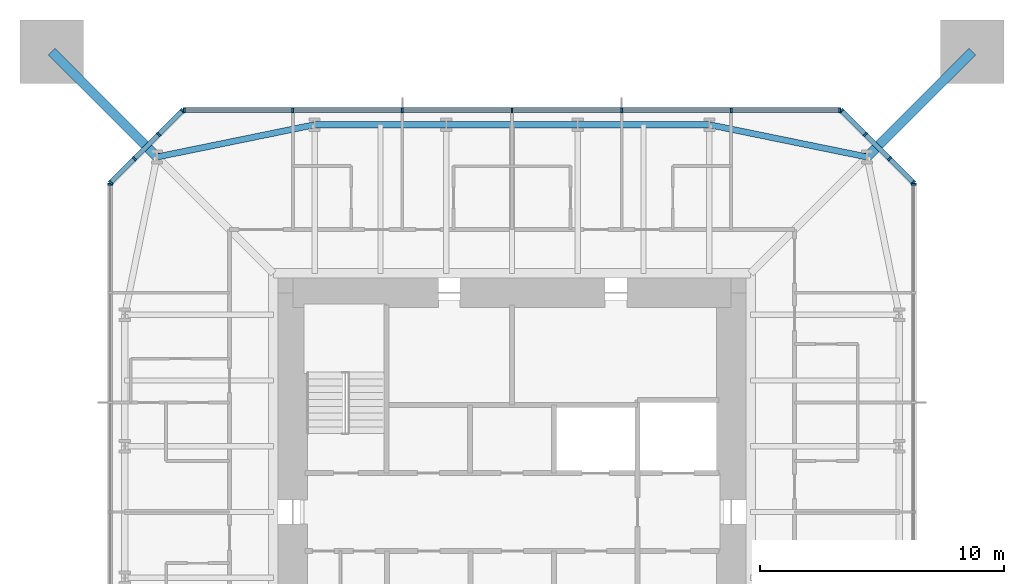
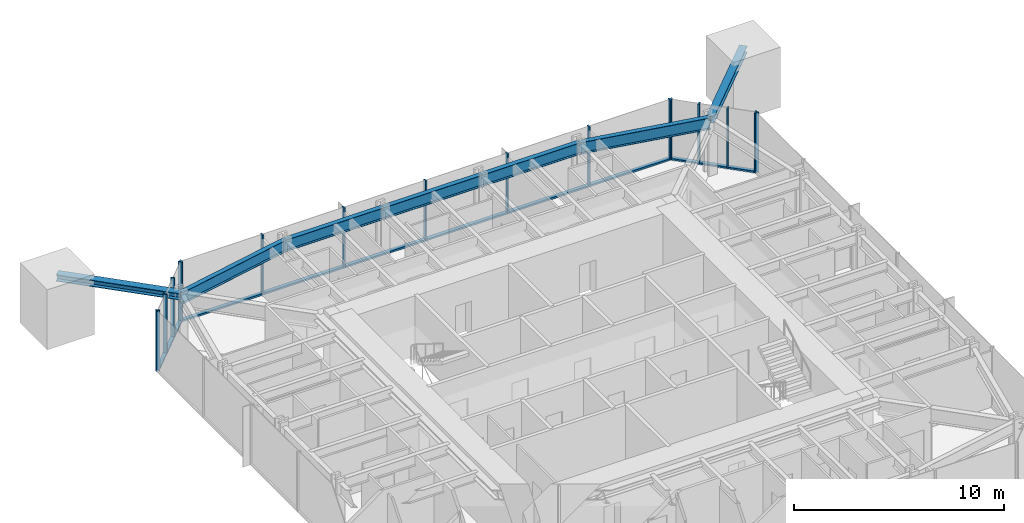
# One storey, part 4 of 10: 31 members, 5 beams, 5 elements without a shape of their own.
"""IFC4 building model written with IfcOpenShell, lengths in metres."""

from ifc_helpers import new_model, si_unit, direction, frame, origin, origin_2d, place, context, subcontext, project, spatial, rectangle, i_section, extrude, material, material_profile, profile_set, type_object, element, aggregate, save


model = new_model("IFC4")

# Units and contexts
model_context = context("Model", 3, precision=1e-05, world=origin(), true_north=direction((0.0, 1.0)))
body_context = subcontext(model_context, "Body", "Model", "MODEL_VIEW")
ifc_project = project(units=[si_unit("LENGTHUNIT", "METRE"), si_unit("AREAUNIT", "SQUARE_METRE"), si_unit("VOLUMEUNIT", "CUBIC_METRE"), si_unit("PLANEANGLEUNIT", "RADIAN"), si_unit("MASSUNIT", "GRAM", prefix="KILO")], contexts=[model_context])

# Site, building, storey
site_placement = place(None, origin())
site = spatial("IfcSite", under=ifc_project, at=site_placement, CompositionType="ELEMENT")
building_placement = place(site_placement, origin())
building = spatial("IfcBuilding", under=site, at=building_placement, Name="Iwan Alto Co-Living Towers", CompositionType="ELEMENT")
storey_placement = place(building_placement, frame((0.0, 0.0, 218.5)))
storey = spatial("IfcBuildingStorey", under=building, at=storey_placement, Name="L59", CompositionType="ELEMENT", Elevation=218.5)

# Curtain wall, member
ifc_material_1 = material(Name="Bronze aluminium unitised frame", Category="aluminium")
curtain_wall_type_1 = type_object("IfcCurtainWallType", Name="CURTAIN WALL CW-A", PredefinedType="NOTDEFINED", material=ifc_material_1)
curtain_wall_1_placement = place(storey_placement, origin())
curtain_wall_1 = element("IfcCurtainWall", 1, at=curtain_wall_1_placement, inside=storey, type_object=curtain_wall_type_1, Name="T1 curtain wall E L59", PredefinedType="NOTDEFINED")
ifc_material_2 = material(Name="Aluminium 6063-T6 bronze anodised", Category="aluminium")
ifc_material_profile_1 = material_profile(ifc_material_2, rectangle(XDim=0.199951171875, YDim=0.080078125, at=origin_2d()), Name="AL 80X200")
ifc_profile_set_1 = profile_set([ifc_material_profile_1], Name="Aluminium 6063-T6 bronze anodised")
member_type_1 = type_object("IfcMemberType", Name="CW-A MULLION 80X200", PredefinedType="MULLION", material=ifc_profile_set_1)
member_1_placement = place(storey_placement, frame((16.5, 13.4599609375, 0.0), z_axis=(0.0, 0.0, 1.0), x_axis=(-1.0, 0.0, 0.0)))
member_1 = element("IfcMember", 2, at=member_1_placement, type_object=member_type_1, Name="CW-A mullion 7", PredefinedType="MULLION", context=body_context, shape_type="SweptSolid", body=[
    extrude(rectangle(XDim=0.199951171875, YDim=0.080078125, at=origin_2d()), origin(), (0.0, 0.0, 1.0), 3.5),
])
aggregate(curtain_wall_1, [member_1])

# Curtain wall, members
curtain_wall_2_placement = place(storey_placement, origin())
curtain_wall_2 = element("IfcCurtainWall", 3, at=curtain_wall_2_placement, inside=storey, type_object=curtain_wall_type_1, Name="T1 curtain wall N L59", PredefinedType="NOTDEFINED")
member_2_placement = place(storey_placement, frame((13.4599609375, 16.5, 0.0), z_axis=(0.0, 0.0, 1.0), x_axis=(0.0, -1.0, 0.0)))
member_2 = element("IfcMember", 4, at=member_2_placement, type_object=member_type_1, Name="CW-A mullion 1", PredefinedType="MULLION", context=body_context, shape_type="SweptSolid", body=[
    extrude(rectangle(XDim=0.199951171875, YDim=0.080078125, at=origin_2d()), origin(), (0.0, 0.0, 1.0), 3.5),
])
member_3_placement = place(storey_placement, frame((9.0, 16.5, 0.0), z_axis=(0.0, 0.0, 1.0), x_axis=(0.0, -1.0, 0.0)))
member_3 = element("IfcMember", 5, at=member_3_placement, type_object=member_type_1, Name="CW-A mullion 2", PredefinedType="MULLION", context=body_context, shape_type="SweptSolid", body=[
    extrude(rectangle(XDim=0.199951171875, YDim=0.080078125, at=origin_2d()), origin(), (0.0, 0.0, 1.0), 3.5),
])
member_4_placement = place(storey_placement, frame((4.5, 16.5, 0.0), z_axis=(0.0, 0.0, 1.0), x_axis=(0.0, -1.0, 0.0)))
member_4 = element("IfcMember", 6, at=member_4_placement, type_object=member_type_1, Name="CW-A mullion 3", PredefinedType="MULLION", context=body_context, shape_type="SweptSolid", body=[
    extrude(rectangle(XDim=0.199951171875, YDim=0.080078125, at=origin_2d()), origin(), (0.0, 0.0, 1.0), 3.5),
])
member_5_placement = place(storey_placement, frame((0.0, 16.5, 0.0), z_axis=(0.0, 0.0, 1.0), x_axis=(0.0, -1.0, 0.0)))
member_5 = element("IfcMember", 7, at=member_5_placement, type_object=member_type_1, Name="CW-A mullion 4", PredefinedType="MULLION", context=body_context, shape_type="SweptSolid", body=[
    extrude(rectangle(XDim=0.199951171875, YDim=0.080078125, at=origin_2d()), origin(), (0.0, 0.0, 1.0), 3.5),
])
member_6_placement = place(storey_placement, frame((-4.5, 16.5, 0.0), z_axis=(0.0, 0.0, 1.0), x_axis=(0.0, -1.0, 0.0)))
member_6 = element("IfcMember", 8, at=member_6_placement, type_object=member_type_1, Name="CW-A mullion 5", PredefinedType="MULLION", context=body_context, shape_type="SweptSolid", body=[
    extrude(rectangle(XDim=0.199951171875, YDim=0.080078125, at=origin_2d()), origin(), (0.0, 0.0, 1.0), 3.5),
])
member_7_placement = place(storey_placement, frame((-9.0, 16.5, 0.0), z_axis=(0.0, 0.0, 1.0), x_axis=(0.0, -1.0, 0.0)))
member_7 = element("IfcMember", 9, at=member_7_placement, type_object=member_type_1, Name="CW-A mullion 6", PredefinedType="MULLION", context=body_context, shape_type="SweptSolid", body=[
    extrude(rectangle(XDim=0.199951171875, YDim=0.080078125, at=origin_2d()), origin(), (0.0, 0.0, 1.0), 3.5),
])
member_8_placement = place(storey_placement, frame((-13.4599609375, 16.5, 0.0), z_axis=(0.0, 0.0, 1.0), x_axis=(0.0, -1.0, 0.0)))
member_8 = element("IfcMember", 10, at=member_8_placement, type_object=member_type_1, Name="CW-A mullion 7", PredefinedType="MULLION", context=body_context, shape_type="SweptSolid", body=[
    extrude(rectangle(XDim=0.199951171875, YDim=0.080078125, at=origin_2d()), origin(), (0.0, 0.0, 1.0), 3.5),
])

# Curtain wall, member
curtain_wall_3_placement = place(storey_placement, origin())
curtain_wall_3 = element("IfcCurtainWall", 11, at=curtain_wall_3_placement, inside=storey, type_object=curtain_wall_type_1, Name="T1 curtain wall W L59", PredefinedType="NOTDEFINED")
member_9_placement = place(storey_placement, frame((-16.5, 13.4599609375, 0.0), z_axis=(0.0, 0.0, 1.0), x_axis=(1.0, 0.0, 0.0)))
member_9 = element("IfcMember", 12, at=member_9_placement, type_object=member_type_1, Name="CW-A mullion 1", PredefinedType="MULLION", context=body_context, shape_type="SweptSolid", body=[
    extrude(rectangle(XDim=0.199951171875, YDim=0.080078125, at=origin_2d()), origin(), (0.0, 0.0, 1.0), 3.5),
])
aggregate(curtain_wall_3, [member_9])

# Member
ifc_material_3 = material(Name="Aluminium 6063-T6 bronze anodised", Category="aluminium")
ifc_material_profile_2 = material_profile(ifc_material_3, rectangle(XDim=0.199951171875, YDim=0.10009765625, at=origin_2d()), Name="AL 200X100")
ifc_profile_set_2 = profile_set([ifc_material_profile_2], Name="Aluminium 6063-T6 bronze anodised")
member_type_2 = type_object("IfcMemberType", Name="CW-A TRANSOM 200X100", PredefinedType="USERDEFINED", material=ifc_profile_set_2)
member_10_placement = place(storey_placement, frame((13.419921875, 16.5, 0.050048828125), z_axis=(-1.0, 0.0, 0.0), x_axis=(0.0, -1.0, 0.0)))
member_10 = element("IfcMember", 13, at=member_10_placement, type_object=member_type_2, Name="CW-A transom 1.1", ObjectType="TRANSOM", PredefinedType="USERDEFINED", context=body_context, shape_type="SweptSolid", body=[
    extrude(rectangle(XDim=0.199951171875, YDim=0.10009765625, at=origin_2d()), origin(), (0.0, 0.0, 1.0), 4.3798828125),
])

member_11_placement = place(storey_placement, frame((8.9599609375, 16.5, 0.050048828125), z_axis=(-1.0, 0.0, 0.0), x_axis=(0.0, -1.0, 0.0)))
member_11 = element("IfcMember", 14, at=member_11_placement, type_object=member_type_2, Name="CW-A transom 2.1", ObjectType="TRANSOM", PredefinedType="USERDEFINED", context=body_context, shape_type="SweptSolid", body=[
    extrude(rectangle(XDim=0.199951171875, YDim=0.10009765625, at=origin_2d()), origin(), (0.0, 0.0, 1.0), 4.419921875),
])

member_12_placement = place(storey_placement, frame((4.4599609375, 16.5, 0.050048828125), z_axis=(-1.0, 0.0, 0.0), x_axis=(0.0, -1.0, 0.0)))
member_12 = element("IfcMember", 15, at=member_12_placement, type_object=member_type_2, Name="CW-A transom 3.1", ObjectType="TRANSOM", PredefinedType="USERDEFINED", context=body_context, shape_type="SweptSolid", body=[
    extrude(rectangle(XDim=0.199951171875, YDim=0.10009765625, at=origin_2d()), origin(), (0.0, 0.0, 1.0), 4.419921875),
])

member_13_placement = place(storey_placement, frame((-0.0400390625, 16.5, 0.050048828125), z_axis=(-1.0, 0.0, 0.0), x_axis=(0.0, -1.0, 0.0)))
member_13 = element("IfcMember", 16, at=member_13_placement, type_object=member_type_2, Name="CW-A transom 4.1", ObjectType="TRANSOM", PredefinedType="USERDEFINED", context=body_context, shape_type="SweptSolid", body=[
    extrude(rectangle(XDim=0.199951171875, YDim=0.10009765625, at=origin_2d()), origin(), (0.0, 0.0, 1.0), 4.419921875),
])

member_14_placement = place(storey_placement, frame((-4.5400390625, 16.5, 0.050048828125), z_axis=(-1.0, 0.0, 0.0), x_axis=(0.0, -1.0, 0.0)))
member_14 = element("IfcMember", 17, at=member_14_placement, type_object=member_type_2, Name="CW-A transom 5.1", ObjectType="TRANSOM", PredefinedType="USERDEFINED", context=body_context, shape_type="SweptSolid", body=[
    extrude(rectangle(XDim=0.199951171875, YDim=0.10009765625, at=origin_2d()), origin(), (0.0, 0.0, 1.0), 4.419921875),
])

member_15_placement = place(storey_placement, frame((-9.0400390625, 16.5, 0.050048828125), z_axis=(-1.0, 0.0, 0.0), x_axis=(0.0, -1.0, 0.0)))
member_15 = element("IfcMember", 18, at=member_15_placement, type_object=member_type_2, Name="CW-A transom 6.1", ObjectType="TRANSOM", PredefinedType="USERDEFINED", context=body_context, shape_type="SweptSolid", body=[
    extrude(rectangle(XDim=0.199951171875, YDim=0.10009765625, at=origin_2d()), origin(), (0.0, 0.0, 1.0), 4.3798828125),
])

aggregate(curtain_wall_2, [member_2, member_3, member_4, member_5, member_6, member_7, member_8, member_10, member_11, member_12, member_13, member_14, member_15])

# Curtain wall, members
ifc_material_4 = material(Name="Bronze aluminium unitised frame", Category="aluminium")
curtain_wall_type_2 = type_object("IfcCurtainWallType", Name="CURTAIN WALL CW-B", PredefinedType="NOTDEFINED", material=ifc_material_4)
curtain_wall_4_placement = place(storey_placement, origin())
curtain_wall_4 = element("IfcCurtainWall", 19, at=curtain_wall_4_placement, inside=storey, type_object=curtain_wall_type_2, Name="T1 chamfer curtain wall NE L59", PredefinedType="NOTDEFINED")
ifc_material_5 = material(Name="Aluminium 6063-T6 bronze anodised", Category="aluminium")
ifc_material_profile_3 = material_profile(ifc_material_5, rectangle(XDim=0.199951171875, YDim=0.080078125, at=origin_2d()), Name="AL 80X200")
ifc_profile_set_3 = profile_set([ifc_material_profile_3], Name="Aluminium 6063-T6 bronze anodised")
member_type_3 = type_object("IfcMemberType", Name="CW-B MULLION 80X200", PredefinedType="MULLION", material=ifc_profile_set_3)
member_16_placement = place(storey_placement, frame((16.4716796875, 13.5283203125, 0.0), z_axis=(0.0, 0.0, 1.0), x_axis=(-0.707106781187, -0.707106781187, 0.0)))
member_16 = element("IfcMember", 20, at=member_16_placement, type_object=member_type_3, Name="CW-B mullion 1", PredefinedType="MULLION", context=body_context, shape_type="SweptSolid", body=[
    extrude(rectangle(XDim=0.199951171875, YDim=0.080078125, at=origin_2d()), origin(), (0.0, 0.0, 1.0), 3.5),
])
member_17_placement = place(storey_placement, frame((15.5, 14.5, 0.0), z_axis=(0.0, 0.0, 1.0), x_axis=(-0.707106781187, -0.707106781187, 0.0)))
member_17 = element("IfcMember", 21, at=member_17_placement, type_object=member_type_3, Name="CW-B mullion 2", PredefinedType="MULLION", context=body_context, shape_type="SweptSolid", body=[
    extrude(rectangle(XDim=0.199951171875, YDim=0.080078125, at=origin_2d()), origin(), (0.0, 0.0, 1.0), 3.5),
])
member_18_placement = place(storey_placement, frame((14.5, 15.5, 0.0), z_axis=(0.0, 0.0, 1.0), x_axis=(-0.707106781187, -0.707106781187, 0.0)))
member_18 = element("IfcMember", 22, at=member_18_placement, type_object=member_type_3, Name="CW-B mullion 3", PredefinedType="MULLION", context=body_context, shape_type="SweptSolid", body=[
    extrude(rectangle(XDim=0.199951171875, YDim=0.080078125, at=origin_2d()), origin(), (0.0, 0.0, 1.0), 3.5),
])
member_19_placement = place(storey_placement, frame((13.5283203125, 16.4716796875, 0.0), z_axis=(0.0, 0.0, 1.0), x_axis=(-0.707106781187, -0.707106781187, 0.0)))
member_19 = element("IfcMember", 23, at=member_19_placement, type_object=member_type_3, Name="CW-B mullion 4", PredefinedType="MULLION", context=body_context, shape_type="SweptSolid", body=[
    extrude(rectangle(XDim=0.199951171875, YDim=0.080078125, at=origin_2d()), origin(), (0.0, 0.0, 1.0), 3.5),
])

curtain_wall_5_placement = place(storey_placement, origin())
curtain_wall_5 = element("IfcCurtainWall", 24, at=curtain_wall_5_placement, inside=storey, type_object=curtain_wall_type_2, Name="T1 chamfer curtain wall NW L59", PredefinedType="NOTDEFINED")
member_20_placement = place(storey_placement, frame((-13.5283203125, 16.4716796875, 0.0), z_axis=(0.0, 0.0, 1.0), x_axis=(0.707106781187, -0.707106781187, 0.0)))
member_20 = element("IfcMember", 25, at=member_20_placement, type_object=member_type_3, Name="CW-B mullion 1", PredefinedType="MULLION", context=body_context, shape_type="SweptSolid", body=[
    extrude(rectangle(XDim=0.199951171875, YDim=0.080078125, at=origin_2d()), origin(), (0.0, 0.0, 1.0), 3.5),
])
member_21_placement = place(storey_placement, frame((-14.5, 15.5, 0.0), z_axis=(0.0, 0.0, 1.0), x_axis=(0.707106781187, -0.707106781187, 0.0)))
member_21 = element("IfcMember", 26, at=member_21_placement, type_object=member_type_3, Name="CW-B mullion 2", PredefinedType="MULLION", context=body_context, shape_type="SweptSolid", body=[
    extrude(rectangle(XDim=0.199951171875, YDim=0.080078125, at=origin_2d()), origin(), (0.0, 0.0, 1.0), 3.5),
])
member_22_placement = place(storey_placement, frame((-15.5, 14.5, 0.0), z_axis=(0.0, 0.0, 1.0), x_axis=(0.707106781187, -0.707106781187, 0.0)))
member_22 = element("IfcMember", 27, at=member_22_placement, type_object=member_type_3, Name="CW-B mullion 3", PredefinedType="MULLION", context=body_context, shape_type="SweptSolid", body=[
    extrude(rectangle(XDim=0.199951171875, YDim=0.080078125, at=origin_2d()), origin(), (0.0, 0.0, 1.0), 3.5),
])
member_23_placement = place(storey_placement, frame((-16.4716796875, 13.5283203125, 0.0), z_axis=(0.0, 0.0, 1.0), x_axis=(0.707106781187, -0.707106781187, 0.0)))
member_23 = element("IfcMember", 28, at=member_23_placement, type_object=member_type_3, Name="CW-B mullion 4", PredefinedType="MULLION", context=body_context, shape_type="SweptSolid", body=[
    extrude(rectangle(XDim=0.199951171875, YDim=0.080078125, at=origin_2d()), origin(), (0.0, 0.0, 1.0), 3.5),
])

# Member
ifc_material_6 = material(Name="Aluminium 6063-T6 bronze anodised", Category="aluminium")
ifc_material_profile_4 = material_profile(ifc_material_6, rectangle(XDim=0.199951171875, YDim=0.10009765625, at=origin_2d()), Name="AL 200X100")
ifc_profile_set_4 = profile_set([ifc_material_profile_4], Name="Aluminium 6063-T6 bronze anodised")
member_type_4 = type_object("IfcMemberType", Name="CW-B TRANSOM 200X100", PredefinedType="USERDEFINED", material=ifc_profile_set_4)
member_24_placement = place(storey_placement, frame((16.443359375, 13.556640625, 0.050048828125), z_axis=(-0.707106781187, 0.707106781187, 0.0), x_axis=(-0.707106781187, -0.707106781187, 0.0)))
member_24 = element("IfcMember", 29, at=member_24_placement, type_object=member_type_4, Name="CW-B transom 1.1", ObjectType="TRANSOM", PredefinedType="USERDEFINED", context=body_context, shape_type="SweptSolid", body=[
    extrude(rectangle(XDim=0.199951171875, YDim=0.10009765625, at=origin_2d()), origin(), (0.0, 0.0, 1.0), 1.2939453125),
])

member_25_placement = place(storey_placement, frame((15.4716796875, 14.5283203125, 0.050048828125), z_axis=(-0.707106781187, 0.707106781187, 0.0), x_axis=(-0.707106781187, -0.707106781187, 0.0)))
member_25 = element("IfcMember", 30, at=member_25_placement, type_object=member_type_4, Name="CW-B transom 2.1", ObjectType="TRANSOM", PredefinedType="USERDEFINED", context=body_context, shape_type="SweptSolid", body=[
    extrude(rectangle(XDim=0.199951171875, YDim=0.10009765625, at=origin_2d()), origin(), (0.0, 0.0, 1.0), 1.334228515625),
])

member_26_placement = place(storey_placement, frame((14.4716796875, 15.5283203125, 0.050048828125), z_axis=(-0.707106781187, 0.707106781187, 0.0), x_axis=(-0.707106781187, -0.707106781187, 0.0)))
member_26 = element("IfcMember", 31, at=member_26_placement, type_object=member_type_4, Name="CW-B transom 3.1", ObjectType="TRANSOM", PredefinedType="USERDEFINED", context=body_context, shape_type="SweptSolid", body=[
    extrude(rectangle(XDim=0.199951171875, YDim=0.10009765625, at=origin_2d()), origin(), (0.0, 0.0, 1.0), 1.2939453125),
])

aggregate(curtain_wall_4, [member_16, member_17, member_18, member_19, member_24, member_25, member_26])

member_27_placement = place(storey_placement, frame((-13.556640625, 16.443359375, 0.050048828125), z_axis=(-0.707106781187, -0.707106781187, 0.0), x_axis=(0.707106781187, -0.707106781187, 0.0)))
member_27 = element("IfcMember", 32, at=member_27_placement, type_object=member_type_4, Name="CW-B transom 1.1", ObjectType="TRANSOM", PredefinedType="USERDEFINED", context=body_context, shape_type="SweptSolid", body=[
    extrude(rectangle(XDim=0.199951171875, YDim=0.10009765625, at=origin_2d()), origin(), (0.0, 0.0, 1.0), 1.2939453125),
])

member_28_placement = place(storey_placement, frame((-14.5283203125, 15.4716796875, 0.050048828125), z_axis=(-0.707106781187, -0.707106781187, 0.0), x_axis=(0.707106781187, -0.707106781187, 0.0)))
member_28 = element("IfcMember", 33, at=member_28_placement, type_object=member_type_4, Name="CW-B transom 2.1", ObjectType="TRANSOM", PredefinedType="USERDEFINED", context=body_context, shape_type="SweptSolid", body=[
    extrude(rectangle(XDim=0.199951171875, YDim=0.10009765625, at=origin_2d()), origin(), (0.0, 0.0, 1.0), 1.334228515625),
])

member_29_placement = place(storey_placement, frame((-15.5283203125, 14.4716796875, 0.050048828125), z_axis=(-0.707106781187, -0.707106781187, 0.0), x_axis=(0.707106781187, -0.707106781187, 0.0)))
member_29 = element("IfcMember", 34, at=member_29_placement, type_object=member_type_4, Name="CW-B transom 3.1", ObjectType="TRANSOM", PredefinedType="USERDEFINED", context=body_context, shape_type="SweptSolid", body=[
    extrude(rectangle(XDim=0.199951171875, YDim=0.10009765625, at=origin_2d()), origin(), (0.0, 0.0, 1.0), 1.2939453125),
])

aggregate(curtain_wall_5, [member_20, member_21, member_22, member_23, member_27, member_28, member_29])

# Beams
ifc_material_7 = material(Name="Steel ASTM A992 Gr 50", Category="steel")
ifc_material_profile_5 = material_profile(ifc_material_7, i_section(OverallWidth=0.25390625, OverallDepth=0.683349609375, WebThickness=0.012451171875, FlangeThickness=0.018798828125, at=origin_2d()), Name="W27X94")
ifc_profile_set_5 = profile_set([ifc_material_profile_5], Name="Steel ASTM A992 Gr 50")
beam_type = type_object("IfcBeamType", Name="T1 EDGE BEAM W27X94", PredefinedType="BEAM", material=ifc_profile_set_5)
beam_1_placement = place(storey_placement, frame((14.57568359375, 14.57568359375, 2.928466796875), z_axis=(-0.979724820103, 0.200347889618, 0.0), x_axis=(-0.200347889618, -0.979724820103, 0.0)))
element("IfcBeam", 35, at=beam_1_placement, inside=storey, type_object=beam_type, Name="T1 edge beam CNE L60", PredefinedType="BEAM", context=body_context, shape_type="SweptSolid", body=[
    extrude(i_section(OverallWidth=0.25390625, OverallDepth=0.683349609375, WebThickness=0.012451171875, FlangeThickness=0.018798828125, at=origin_2d()), origin(), (0.0, 0.0, 1.0), 6.609619140625),
])
beam_2_placement = place(storey_placement, frame((8.10009765625, 15.89990234375, 2.928466796875), z_axis=(-1.0, 0.0, 0.0), x_axis=(0.0, -1.0, 0.0)))
element("IfcBeam", 36, at=beam_2_placement, inside=storey, type_object=beam_type, Name="T1 edge beam N1 L60", PredefinedType="BEAM", context=body_context, shape_type="SweptSolid", body=[
    extrude(i_section(OverallWidth=0.25390625, OverallDepth=0.683349609375, WebThickness=0.012451171875, FlangeThickness=0.018798828125, at=origin_2d()), origin(), (0.0, 0.0, 1.0), 5.400146484375),
])
beam_3_placement = place(storey_placement, frame((2.699951171875, 15.89990234375, 2.928466796875), z_axis=(-1.0, 0.0, 0.0), x_axis=(0.0, -1.0, 0.0)))
element("IfcBeam", 37, at=beam_3_placement, inside=storey, type_object=beam_type, Name="T1 edge beam N2 L60", PredefinedType="BEAM", context=body_context, shape_type="SweptSolid", body=[
    extrude(i_section(OverallWidth=0.25390625, OverallDepth=0.683349609375, WebThickness=0.012451171875, FlangeThickness=0.018798828125, at=origin_2d()), origin(), (0.0, 0.0, 1.0), 5.39990234375),
])
beam_4_placement = place(storey_placement, frame((-2.699951171875, 15.89990234375, 2.928466796875), z_axis=(-1.0, 0.0, 0.0), x_axis=(0.0, -1.0, 0.0)))
element("IfcBeam", 38, at=beam_4_placement, inside=storey, type_object=beam_type, Name="T1 edge beam N3 L60", PredefinedType="BEAM", context=body_context, shape_type="SweptSolid", body=[
    extrude(i_section(OverallWidth=0.25390625, OverallDepth=0.683349609375, WebThickness=0.012451171875, FlangeThickness=0.018798828125, at=origin_2d()), origin(), (0.0, 0.0, 1.0), 5.400146484375),
])
beam_5_placement = place(storey_placement, frame((-8.10009765625, 15.89990234375, 2.928466796875), z_axis=(-0.979724820103, -0.200347889618, 0.0), x_axis=(0.200347889618, -0.979724820103, 0.0)))
element("IfcBeam", 39, at=beam_5_placement, inside=storey, type_object=beam_type, Name="T1 edge beam N4 L60", PredefinedType="BEAM", context=body_context, shape_type="SweptSolid", body=[
    extrude(i_section(OverallWidth=0.25390625, OverallDepth=0.683349609375, WebThickness=0.012451171875, FlangeThickness=0.018798828125, at=origin_2d()), origin(), (0.0, 0.0, 1.0), 6.609619140625),
])

# Members
ifc_material_8 = material(Name="Steel ASTM A992 Gr 50", Category="steel")
ifc_material_profile_6 = material_profile(ifc_material_8, i_section(OverallWidth=0.393798828125, OverallDepth=0.3759765625, WebThickness=0.017333984375, FlangeThickness=0.027587890625, at=origin_2d()), Name="W14X145")
ifc_profile_set_6 = profile_set([ifc_material_profile_6], Name="Steel ASTM A992 Gr 50")
member_type_5 = type_object("IfcMemberType", Name="T1 MEGA COLUMN FLOOR TIE W14X145", PredefinedType="STRUT", material=ifc_profile_set_6)
for number, where, z_axis, x_axis, name in (
    (40, (18.89990234375, 18.89990234375, 3.08203125), (-0.707106781187, -0.707106781187, 0.0), (0.707106781187, -0.707106781187, 0.0), "T1 mega column floor tie NE L60"),
    (41, (-18.89990234375, 18.89990234375, 3.08203125), (0.707106781187, -0.707106781187, 0.0), (0.707106781187, 0.707106781187, 0.0), "T1 mega column floor tie NW L60"),
):
    element("IfcMember", number, at=place(storey_placement, frame(where, z_axis=z_axis, x_axis=x_axis)), inside=storey, type_object=member_type_5, Name=name, PredefinedType="STRUT", context=body_context, shape_type="SweptSolid", body=[
        extrude(i_section(OverallWidth=0.393798828125, OverallDepth=0.3759765625, WebThickness=0.017333984375, FlangeThickness=0.027587890625, at=origin_2d()), origin(), (0.0, 0.0, 1.0), 6.115478515625),
    ])

save(model, "model.ifc")
